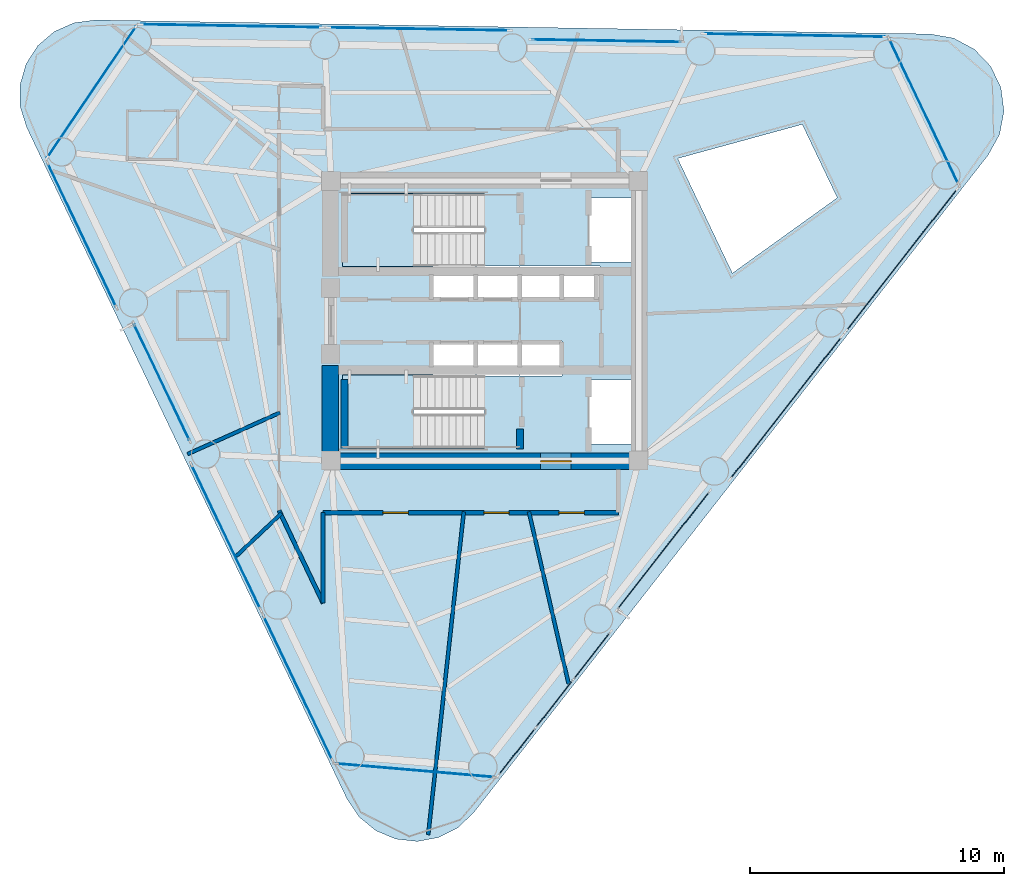
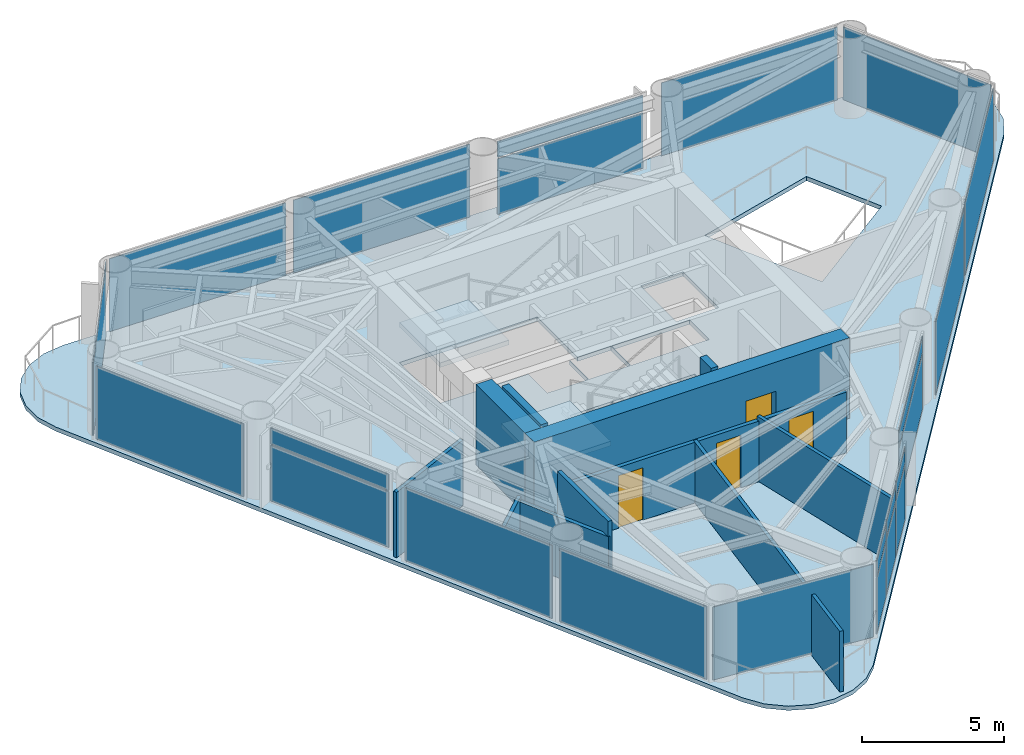
# One storey, part 4 of 9: 23 plates, 11 walls, 4 doors, 3 slabs, 4 openings, 17 elements without a shape of their own.
"""IFC4 building model written with IfcOpenShell, lengths in metres."""

from ifc_helpers import new_model, si_unit, direction, frame, frame_2d, origin, origin_2d, place, context, subcontext, project, spatial, polyline, rectangle, outline, extrude, source, transform, mapped, material, layer, layer_set, type_object, element, fill, aggregate, save


model = new_model("IFC4")

# Units and contexts
model_context = context("Model", 3, precision=1e-05, world=origin(), true_north=direction((0.0, 1.0)))
body_context = subcontext(model_context, "Body", "Model", "MODEL_VIEW")
ifc_project = project(units=[si_unit("LENGTHUNIT", "METRE"), si_unit("AREAUNIT", "SQUARE_METRE"), si_unit("VOLUMEUNIT", "CUBIC_METRE"), si_unit("PLANEANGLEUNIT", "RADIAN"), si_unit("MASSUNIT", "GRAM", prefix="KILO")], contexts=[model_context])

# Site, building, storey
site_placement = place(None, origin())
site = spatial("IfcSite", under=ifc_project, at=site_placement, CompositionType="ELEMENT")
building_placement = place(site_placement, origin())
building = spatial("IfcBuilding", under=site, at=building_placement, Name="Yunling Apex Tower", CompositionType="ELEMENT")
storey_placement = place(building_placement, frame((0.0, 0.0, 205.25)))
storey = spatial("IfcBuildingStorey", under=building, at=storey_placement, Name="L50", CompositionType="ELEMENT", Elevation=205.25)

# Slab
ifc_material_1 = material(Name="Concrete C40", Category="concrete")
ifc_layer_1 = layer(ifc_material_1, 0.1650390625)
ifc_layer_set_1 = layer_set([ifc_layer_1], Name="Concrete C40")
slab_type_1 = type_object("IfcSlabType", Name="SL-FLR-2", PredefinedType="FLOOR", material=ifc_layer_set_1)
slab_1_placement = place(storey_placement, frame((0.0, 0.0, -0.179931640625)))
element("IfcSlab", 1, at=slab_1_placement, inside=storey, type_object=slab_type_1, Name="L50 Composite Tower Floor Slab", PredefinedType="FLOOR", context=body_context, shape_type="SweptSolid", body=[
    extrude(outline(polyline([(-5.42578125, -18.80419921875), (-4.95068359375, -19.513427734375), (-4.29248046875, -20.056884765625), (-3.506103515625, -20.38916015625), (-2.65771484375, -20.482421875), (-1.818115234375, -20.32861328125), (-1.0576171875, -19.941162109375), (-0.439697265625, -19.35205078125), (19.8017578125, 6.518798828125), (20.25244140625, 7.333251953125), (20.427001953125, 8.24755859375), (20.307861328125, 9.1708984375), (19.9072265625, 10.010986328125), (19.2646484375, 10.684326171875), (18.4443359375, 11.1240234375), (17.527587890625, 11.286376953125), (-15.316162109375, 11.8369140625), (-16.16259765625, 11.7275390625), (-16.9423828125, 11.38037109375), (-17.59033203125, 10.824462890625), (-18.0517578125, 10.1064453125), (-18.288330078125, 9.286376953125), (-18.2802734375, 8.4326171875), (-18.0283203125, 7.6171875), (-5.42578125, -18.80419921875)]), holes=[polyline([(12.489013671875, 7.7294921875), (13.86669921875, 4.84130859375), (9.7412109375, 1.87646484375), (7.58837890625, 6.389404296875), (12.489013671875, 7.7294921875)]), polyline([(4.090087890625, -2.320068359375), (5.81005859375, -2.320068359375), (5.81005859375, -4.840087890625), (4.090087890625, -4.840087890625), (4.090087890625, -2.320068359375)]), polyline([(5.81005859375, 4.840087890625), (5.81005859375, 2.320068359375), (4.090087890625, 2.320068359375), (4.090087890625, 4.840087890625), (5.81005859375, 4.840087890625)]), polyline([(1.364990234375, 2.1650390625), (4.534912109375, 2.1650390625), (4.534912109375, 0.794921875), (1.364990234375, 0.794921875), (1.364990234375, 2.1650390625)]), polyline([(3.034912109375, -0.794921875), (3.034912109375, -2.1650390625), (1.364990234375, -2.1650390625), (1.364990234375, -0.794921875), (3.034912109375, -0.794921875)]), polyline([(-2.034912109375, -0.794921875), (-0.364990234375, -0.794921875), (-0.364990234375, -2.139892578125), (-0.3349609375, -2.139892578125), (-0.3349609375, -0.794921875), (1.3349609375, -0.794921875), (1.3349609375, -2.1650390625), (-0.010009765625, -2.1650390625), (-0.010009765625, -5.010009765625), (-5.60009765625, -5.010009765625), (-5.60009765625, -2.139892578125), (-2.034912109375, -2.139892578125), (-2.034912109375, -0.794921875)]), polyline([(-5.60009765625, 2.139892578125), (-5.60009765625, 5.010009765625), (-0.010009765625, 5.010009765625), (-0.010009765625, 2.1650390625), (1.3349609375, 2.1650390625), (1.3349609375, 0.794921875), (-0.3349609375, 0.794921875), (-0.3349609375, 2.139892578125), (-0.364990234375, 2.139892578125), (-0.364990234375, 0.794921875), (-2.034912109375, 0.794921875), (-2.034912109375, 2.139892578125), (-5.60009765625, 2.139892578125)])]), origin(), (0.0, 0.0, 1.0), 0.179931640625),
])

# Stair, slab
stair_type = type_object("IfcStairType", Name="ST-TWR-2", PredefinedType="HALF_TURN_STAIR", material=ifc_material_1)
stair_1_placement = place(storey_placement, origin())
stair_1 = element("IfcStair", 2, at=stair_1_placement, inside=storey, type_object=stair_type, Name="L50 North Core Smokeproof Exit Stair ST-1", PredefinedType="HALF_TURN_STAIR")
ifc_layer_2 = layer(ifc_material_1, 0.195068359375)
ifc_layer_set_2 = layer_set([ifc_layer_2], Name="Concrete C40")
slab_type_2 = type_object("IfcSlabType", Name="SL-LND-1", PredefinedType="LANDING", material=ifc_layer_set_2)
slab_2_placement = place(storey_placement, frame((0.0, 0.0, 1.530029296875)))
slab_2 = element("IfcSlab", 3, at=slab_2_placement, type_object=slab_type_2, Name="ST-1 landing 1", PredefinedType="LANDING", context=body_context, shape_type="SweptSolid", body=[
    extrude(outline(polyline([(-2.81005859375, 5.010009765625), (-5.60009765625, 5.010009765625), (-5.60009765625, 2.139892578125), (-2.81005859375, 2.139892578125), (-2.81005859375, 5.010009765625)])), origin(), (0.0, 0.0, 1.0), 0.195068359375),
])
aggregate(stair_1, [slab_2])

stair_2_placement = place(storey_placement, origin())
stair_2 = element("IfcStair", 4, at=stair_2_placement, inside=storey, type_object=stair_type, Name="L50 South Core Smokeproof Exit Stair ST-2", PredefinedType="HALF_TURN_STAIR")
slab_3_placement = place(storey_placement, frame((0.0, 0.0, 1.530029296875)))
slab_3 = element("IfcSlab", 5, at=slab_3_placement, type_object=slab_type_2, Name="ST-2 landing 1", PredefinedType="LANDING", context=body_context, shape_type="SweptSolid", body=[
    extrude(outline(polyline([(-2.81005859375, -2.139892578125), (-5.60009765625, -2.139892578125), (-5.60009765625, -5.010009765625), (-2.81005859375, -5.010009765625), (-2.81005859375, -2.139892578125)])), origin(), (0.0, 0.0, 1.0), 0.195068359375),
])
aggregate(stair_2, [slab_3])

# Curtain wall, plates
ifc_material_2 = material(Name="Bronze anodised aluminium", Category="aluminium")
ifc_layer_3 = layer(ifc_material_2, 0.239990234375)
ifc_layer_set_3 = layer_set([ifc_layer_3], Name="Bronze anodised aluminium")
curtain_wall_type = type_object("IfcCurtainWallType", Name="CW-SYS-3", PredefinedType="NOTDEFINED", material=ifc_layer_set_3)
curtain_wall_1_placement = place(storey_placement, origin())
curtain_wall_1 = element("IfcCurtainWall", 6, at=curtain_wall_1_placement, inside=storey, type_object=curtain_wall_type, Name="CW-L50-F1-B1", PredefinedType="NOTDEFINED")
ifc_material_3 = material(Name="Bronze tinted low-E glass", Category="glass")
ifc_layer_4 = layer(ifc_material_3, 0.031982421875)
ifc_layer_set_4 = layer_set([ifc_layer_4], Name="Bronze tinted low-E glass")
plate_type = type_object("IfcPlateType", Name="CW-PNL-3", PredefinedType="CURTAIN_PANEL", material=ifc_layer_set_4)
shared_shape_1 = source(origin(), body_context, "Body", "SweptSolid", [
    extrude(rectangle(XDim=2.306396484375, YDim=0.031982421875, at=origin_2d()), origin(), (0.0, 0.0, 1.0), 2.381103515625),
])
plate_1_placement = place(storey_placement, frame((1.266357421875, -16.9443359375, 0.072265625), z_axis=(0.0, 0.0, 1.0), x_axis=(0.616200489644, 0.787589332433, 0.0)))
plate_1 = element("IfcPlate", 7, at=plate_1_placement, type_object=plate_type, Name="CW-SYS-3 panel 1.1", PredefinedType="CURTAIN_PANEL", context=body_context, shape_type="MappedRepresentation", body=[
    mapped(shared_shape_1, transform((0.0, 0.0, 0.0), scale=1.0)),
])
plate_2_placement = place(storey_placement, frame((4.212158203125, -13.17919921875, 0.072265625), z_axis=(0.0, 0.0, 1.0), x_axis=(0.616200489644, 0.787589332433, 0.0)))
plate_2 = element("IfcPlate", 8, at=plate_2_placement, type_object=plate_type, Name="CW-SYS-3 panel 3.1", PredefinedType="CURTAIN_PANEL", context=body_context, shape_type="MappedRepresentation", body=[
    mapped(shared_shape_1, transform((0.0, 0.0, 0.0), scale=1.0)),
])
shared_shape_2 = source(origin(), body_context, "Body", "SweptSolid", [
    extrude(rectangle(XDim=2.306396484375, YDim=0.031982421875, at=origin_2d()), origin(), (0.0, 0.0, 1.0), 0.680908203125),
])
plate_3_placement = place(storey_placement, frame((1.266357421875, -16.9443359375, 2.51708984375), z_axis=(0.0, 0.0, 1.0), x_axis=(0.616200489644, 0.787589332433, 0.0)))
plate_3 = element("IfcPlate", 9, at=plate_3_placement, type_object=plate_type, Name="CW-SYS-3 panel 1.2", PredefinedType="CURTAIN_PANEL", context=body_context, shape_type="MappedRepresentation", body=[
    mapped(shared_shape_2, transform((0.0, 0.0, 0.0), scale=1.0)),
])
plate_4_placement = place(storey_placement, frame((4.212158203125, -13.17919921875, 2.51708984375), z_axis=(0.0, 0.0, 1.0), x_axis=(0.616200489644, 0.787589332433, 0.0)))
plate_4 = element("IfcPlate", 10, at=plate_4_placement, type_object=plate_type, Name="CW-SYS-3 panel 3.2", PredefinedType="CURTAIN_PANEL", context=body_context, shape_type="MappedRepresentation", body=[
    mapped(shared_shape_2, transform((0.0, 0.0, 0.0), scale=1.0)),
])
shared_shape_3 = source(origin(), body_context, "Body", "SweptSolid", [
    extrude(rectangle(XDim=2.34619140625, YDim=0.031982421875, at=origin_2d()), origin(), (0.0, 0.0, 1.0), 2.381103515625),
])
plate_5_placement = place(storey_placement, frame((2.7392578125, -15.061767578125, 0.072265625), z_axis=(0.0, 0.0, 1.0), x_axis=(0.616200489644, 0.787589332433, 0.0)))
plate_5 = element("IfcPlate", 11, at=plate_5_placement, type_object=plate_type, Name="CW-SYS-3 panel 2.1", PredefinedType="CURTAIN_PANEL", context=body_context, shape_type="MappedRepresentation", body=[
    mapped(shared_shape_3, transform((0.0, 0.0, 0.0), scale=1.0)),
])
shared_shape_4 = source(origin(), body_context, "Body", "SweptSolid", [
    extrude(rectangle(XDim=2.34619140625, YDim=0.031982421875, at=origin_2d()), origin(), (0.0, 0.0, 1.0), 0.680908203125),
])
plate_6_placement = place(storey_placement, frame((2.7392578125, -15.061767578125, 2.51708984375), z_axis=(0.0, 0.0, 1.0), x_axis=(0.616200489644, 0.787589332433, 0.0)))
plate_6 = element("IfcPlate", 12, at=plate_6_placement, type_object=plate_type, Name="CW-SYS-3 panel 2.2", PredefinedType="CURTAIN_PANEL", context=body_context, shape_type="MappedRepresentation", body=[
    mapped(shared_shape_4, transform((0.0, 0.0, 0.0), scale=1.0)),
])
aggregate(curtain_wall_1, [plate_1, plate_3, plate_5, plate_6, plate_2, plate_4])

# Curtain wall, plate
curtain_wall_2_placement = place(storey_placement, origin())
curtain_wall_2 = element("IfcCurtainWall", 13, at=curtain_wall_2_placement, inside=storey, type_object=curtain_wall_type, Name="CW-L50-F1-B2", PredefinedType="NOTDEFINED")
shared_shape_5 = source(origin(), body_context, "Body", "SweptSolid", [
    extrude(rectangle(XDim=5.846923828125, YDim=0.031982421875, at=origin_2d()), origin(), (0.0, 0.0, 1.0), 2.381103515625),
])
plate_7_placement = place(storey_placement, frame((7.025634765625, -9.03125, 0.072265625), z_axis=(0.0, 0.0, 1.0), x_axis=(0.616216892053, 0.787576499109, 0.0)))
plate_7 = element("IfcPlate", 14, at=plate_7_placement, type_object=plate_type, Name="CW-SYS-3 panel 1.1", PredefinedType="CURTAIN_PANEL", context=body_context, shape_type="MappedRepresentation", body=[
    mapped(shared_shape_5, transform((0.0, 0.0, 0.0), scale=1.0)),
])

curtain_wall_3_placement = place(storey_placement, origin())
curtain_wall_3 = element("IfcCurtainWall", 15, at=curtain_wall_3_placement, inside=storey, type_object=curtain_wall_type, Name="CW-L50-F2-B2", PredefinedType="NOTDEFINED")
plate_8_placement = place(storey_placement, frame((4.792724609375, 11.019775390625, 0.072265625), z_axis=(0.0, 0.0, 1.0), x_axis=(-0.999859564213, 0.016758635119, 0.0)))
plate_8 = element("IfcPlate", 16, at=plate_8_placement, type_object=plate_type, Name="CW-SYS-3 panel 1.1", PredefinedType="CURTAIN_PANEL", context=body_context, shape_type="MappedRepresentation", body=[
    mapped(shared_shape_5, transform((0.0, 0.0, 0.0), scale=1.0)),
])

# Plate
shared_shape_6 = source(origin(), body_context, "Body", "SweptSolid", [
    extrude(rectangle(XDim=5.846923828125, YDim=0.031982421875, at=origin_2d()), origin(), (0.0, 0.0, 1.0), 0.680908203125),
])
plate_9_placement = place(storey_placement, frame((7.025634765625, -9.03125, 2.51708984375), z_axis=(0.0, 0.0, 1.0), x_axis=(0.616216892053, 0.787576499109, 0.0)))
plate_9 = element("IfcPlate", 17, at=plate_9_placement, type_object=plate_type, Name="CW-SYS-3 panel 1.2", PredefinedType="CURTAIN_PANEL", context=body_context, shape_type="MappedRepresentation", body=[
    mapped(shared_shape_6, transform((0.0, 0.0, 0.0), scale=1.0)),
])

aggregate(curtain_wall_2, [plate_7, plate_9])

plate_10_placement = place(storey_placement, frame((4.792724609375, 11.019775390625, 2.51708984375), z_axis=(0.0, 0.0, 1.0), x_axis=(-0.999859564213, 0.016758635119, 0.0)))
plate_10 = element("IfcPlate", 18, at=plate_10_placement, type_object=plate_type, Name="CW-SYS-3 panel 1.2", PredefinedType="CURTAIN_PANEL", context=body_context, shape_type="MappedRepresentation", body=[
    mapped(shared_shape_6, transform((0.0, 0.0, 0.0), scale=1.0)),
])

aggregate(curtain_wall_3, [plate_8, plate_10])

# Curtain wall, plate
curtain_wall_4_placement = place(storey_placement, origin())
curtain_wall_4 = element("IfcCurtainWall", 19, at=curtain_wall_4_placement, inside=storey, type_object=curtain_wall_type, Name="CW-L50-F1-B3", PredefinedType="NOTDEFINED")
shared_shape_7 = source(origin(), body_context, "Body", "SweptSolid", [
    extrude(rectangle(XDim=7.0869140625, YDim=0.031982421875, at=origin_2d()), origin(), (0.0, 0.0, 1.0), 3.1259765625),
])
plate_11_placement = place(storey_placement, frame((11.847900390625, -3.419921875, 0.072021484375), z_axis=(0.0, 0.0, 1.0), x_axis=(0.616200489644, 0.787589332433, 0.0)))
plate_11 = element("IfcPlate", 20, at=plate_11_placement, type_object=plate_type, Name="CW-SYS-3 panel 1.1", PredefinedType="CURTAIN_PANEL", context=body_context, shape_type="MappedRepresentation", body=[
    mapped(shared_shape_7, transform((0.0, 0.0, 0.0), scale=1.0)),
])
aggregate(curtain_wall_4, [plate_11])

curtain_wall_5_placement = place(storey_placement, origin())
curtain_wall_5 = element("IfcCurtainWall", 21, at=curtain_wall_5_placement, inside=storey, type_object=curtain_wall_type, Name="CW-L50-F1-B4", PredefinedType="NOTDEFINED")
plate_12_placement = place(storey_placement, frame((16.402099609375, 2.401123046875, 0.072021484375), z_axis=(0.0, 0.0, 1.0), x_axis=(0.616200489644, 0.787589332433, 0.0)))
plate_12 = element("IfcPlate", 22, at=plate_12_placement, type_object=plate_type, Name="CW-SYS-3 panel 1.1", PredefinedType="CURTAIN_PANEL", context=body_context, shape_type="MappedRepresentation", body=[
    mapped(shared_shape_7, transform((0.0, 0.0, 0.0), scale=1.0)),
])
aggregate(curtain_wall_5, [plate_12])

curtain_wall_6_placement = place(storey_placement, origin())
curtain_wall_6 = element("IfcCurtainWall", 23, at=curtain_wall_6_placement, inside=storey, type_object=curtain_wall_type, Name="CW-L50-F2-B1", PredefinedType="NOTDEFINED")
plate_13_placement = place(storey_placement, frame((12.188232421875, 11.23583984375, 0.072021484375), z_axis=(0.0, 0.0, 1.0), x_axis=(-0.999859518498, 0.016761362354, 0.0)))
plate_13 = element("IfcPlate", 24, at=plate_13_placement, type_object=plate_type, Name="CW-SYS-3 panel 1.1", PredefinedType="CURTAIN_PANEL", context=body_context, shape_type="MappedRepresentation", body=[
    mapped(shared_shape_7, transform((0.0, 0.0, 0.0), scale=1.0)),
])
aggregate(curtain_wall_6, [plate_13])

curtain_wall_7_placement = place(storey_placement, origin())
curtain_wall_7 = element("IfcCurtainWall", 25, at=curtain_wall_7_placement, inside=storey, type_object=curtain_wall_type, Name="CW-L50-F2-B3", PredefinedType="NOTDEFINED")
plate_14_placement = place(storey_placement, frame((-2.591552734375, 11.483642578125, 0.072021484375), z_axis=(0.0, 0.0, 1.0), x_axis=(-0.999859754051, 0.016747305141, 0.0)))
plate_14 = element("IfcPlate", 26, at=plate_14_placement, type_object=plate_type, Name="CW-SYS-3 panel 1.1", PredefinedType="CURTAIN_PANEL", context=body_context, shape_type="MappedRepresentation", body=[
    mapped(shared_shape_7, transform((0.0, 0.0, 0.0), scale=1.0)),
])
aggregate(curtain_wall_7, [plate_14])

curtain_wall_8_placement = place(storey_placement, origin())
curtain_wall_8 = element("IfcCurtainWall", 27, at=curtain_wall_8_placement, inside=storey, type_object=curtain_wall_type, Name="CW-L50-F2-B4", PredefinedType="NOTDEFINED")
plate_15_placement = place(storey_placement, frame((-9.9814453125, 11.607421875, 0.072021484375), z_axis=(0.0, 0.0, 1.0), x_axis=(-0.999859518498, 0.016761362354, 0.0)))
plate_15 = element("IfcPlate", 28, at=plate_15_placement, type_object=plate_type, Name="CW-SYS-3 panel 1.1", PredefinedType="CURTAIN_PANEL", context=body_context, shape_type="MappedRepresentation", body=[
    mapped(shared_shape_7, transform((0.0, 0.0, 0.0), scale=1.0)),
])
aggregate(curtain_wall_8, [plate_15])

curtain_wall_9_placement = place(storey_placement, origin())
curtain_wall_9 = element("IfcCurtainWall", 29, at=curtain_wall_9_placement, inside=storey, type_object=curtain_wall_type, Name="CW-L50-CRN1", PredefinedType="NOTDEFINED")
shared_shape_8 = source(origin(), body_context, "Body", "SweptSolid", [
    extrude(rectangle(XDim=6.31494140625, YDim=0.031982421875, at=origin_2d()), origin(), (0.0, 0.0, 1.0), 3.1259765625),
])
plate_16_placement = place(storey_placement, frame((17.273193359375, 8.239013671875, 0.072021484375), z_axis=(0.0, 0.0, 1.0), x_axis=(-0.430527245951, 0.902577581426, 0.0)))
plate_16 = element("IfcPlate", 30, at=plate_16_placement, type_object=plate_type, Name="CW-SYS-3 panel 1.1", PredefinedType="CURTAIN_PANEL", context=body_context, shape_type="MappedRepresentation", body=[
    mapped(shared_shape_8, transform((0.0, 0.0, 0.0), scale=1.0)),
])
aggregate(curtain_wall_9, [plate_16])

curtain_wall_10_placement = place(storey_placement, origin())
curtain_wall_10 = element("IfcCurtainWall", 31, at=curtain_wall_10_placement, inside=storey, type_object=curtain_wall_type, Name="CW-L50-CRN2", PredefinedType="NOTDEFINED")
shared_shape_9 = source(origin(), body_context, "Body", "SweptSolid", [
    extrude(rectangle(XDim=6.237060546875, YDim=0.031982421875, at=origin_2d()), origin(), (0.0, 0.0, 1.0), 3.1259765625),
])
plate_17_placement = place(storey_placement, frame((-15.465087890625, 9.007080078125, 0.072021484375), z_axis=(0.0, 0.0, 1.0), x_axis=(-0.56057021458, -0.828106898006, 0.0)))
plate_17 = element("IfcPlate", 32, at=plate_17_placement, type_object=plate_type, Name="CW-SYS-3 panel 1.1", PredefinedType="CURTAIN_PANEL", context=body_context, shape_type="MappedRepresentation", body=[
    mapped(shared_shape_9, transform((0.0, 0.0, 0.0), scale=1.0)),
])
aggregate(curtain_wall_10, [plate_17])

curtain_wall_11_placement = place(storey_placement, origin())
curtain_wall_11 = element("IfcCurtainWall", 33, at=curtain_wall_11_placement, inside=storey, type_object=curtain_wall_type, Name="CW-L50-CRN3", PredefinedType="NOTDEFINED")
plate_18_placement = place(storey_placement, frame((-2.732666015625, -17.68701171875, 0.072021484375), z_axis=(0.0, 0.0, 1.0), x_axis=(0.996336698637, -0.085517150026, 0.0)))
plate_18 = element("IfcPlate", 34, at=plate_18_placement, type_object=plate_type, Name="CW-SYS-3 panel 1.1", PredefinedType="CURTAIN_PANEL", context=body_context, shape_type="MappedRepresentation", body=[
    mapped(shared_shape_9, transform((0.0, 0.0, 0.0), scale=1.0)),
])
aggregate(curtain_wall_11, [plate_18])

curtain_wall_12_placement = place(storey_placement, origin())
curtain_wall_12 = element("IfcCurtainWall", 35, at=curtain_wall_12_placement, inside=storey, type_object=curtain_wall_type, Name="CW-L50-F3-B1", PredefinedType="NOTDEFINED")
shared_shape_10 = source(origin(), body_context, "Body", "SweptSolid", [
    extrude(rectangle(XDim=6.282470703125, YDim=0.031982421875, at=origin_2d()), origin(), (0.0, 0.0, 1.0), 3.1259765625),
])
plate_19_placement = place(storey_placement, frame((-15.85400390625, 3.384033203125, 0.072021484375), z_axis=(0.0, 0.0, 1.0), x_axis=(0.430517577128, -0.902582193367, 0.0)))
plate_19 = element("IfcPlate", 36, at=plate_19_placement, type_object=plate_type, Name="CW-SYS-3 panel 1.1", PredefinedType="CURTAIN_PANEL", context=body_context, shape_type="MappedRepresentation", body=[
    mapped(shared_shape_10, transform((0.0, 0.0, 0.0), scale=1.0)),
])
aggregate(curtain_wall_12, [plate_19])

curtain_wall_13_placement = place(storey_placement, origin())
curtain_wall_13 = element("IfcCurtainWall", 37, at=curtain_wall_13_placement, inside=storey, type_object=curtain_wall_type, Name="CW-L50-F3-B3", PredefinedType="NOTDEFINED")
plate_20_placement = place(storey_placement, frame((-10.182861328125, -8.505615234375, 0.072021484375), z_axis=(0.0, 0.0, 1.0), x_axis=(0.430504900417, -0.902588239851, 0.0)))
plate_20 = element("IfcPlate", 38, at=plate_20_placement, type_object=plate_type, Name="CW-SYS-3 panel 1.1", PredefinedType="CURTAIN_PANEL", context=body_context, shape_type="MappedRepresentation", body=[
    mapped(shared_shape_10, transform((0.0, 0.0, 0.0), scale=1.0)),
])
aggregate(curtain_wall_13, [plate_20])

curtain_wall_14_placement = place(storey_placement, origin())
curtain_wall_14 = element("IfcCurtainWall", 39, at=curtain_wall_14_placement, inside=storey, type_object=curtain_wall_type, Name="CW-L50-F3-B4", PredefinedType="NOTDEFINED")
plate_21_placement = place(storey_placement, frame((-7.347412109375, -14.450439453125, 0.072021484375), z_axis=(0.0, 0.0, 1.0), x_axis=(0.430517577128, -0.902582193367, 0.0)))
plate_21 = element("IfcPlate", 40, at=plate_21_placement, type_object=plate_type, Name="CW-SYS-3 panel 1.1", PredefinedType="CURTAIN_PANEL", context=body_context, shape_type="MappedRepresentation", body=[
    mapped(shared_shape_10, transform((0.0, 0.0, 0.0), scale=1.0)),
])
aggregate(curtain_wall_14, [plate_21])

# Curtain wall, plates
curtain_wall_15_placement = place(storey_placement, origin())
curtain_wall_15 = element("IfcCurtainWall", 41, at=curtain_wall_15_placement, inside=storey, type_object=curtain_wall_type, Name="CW-L50-F3-B2", PredefinedType="NOTDEFINED")
shared_shape_11 = source(origin(), body_context, "Body", "SweptSolid", [
    extrude(rectangle(XDim=5.042236328125, YDim=0.031982421875, at=origin_2d()), origin(), (0.0, 0.0, 1.0), 2.381103515625),
])
plate_22_placement = place(storey_placement, frame((-12.71142578125, -2.41455078125, 0.072265625), z_axis=(0.0, 0.0, 1.0), x_axis=(0.430515783062, -0.902583049107, 0.0)))
plate_22 = element("IfcPlate", 42, at=plate_22_placement, type_object=plate_type, Name="CW-SYS-3 panel 1.1", PredefinedType="CURTAIN_PANEL", context=body_context, shape_type="MappedRepresentation", body=[
    mapped(shared_shape_11, transform((0.0, 0.0, 0.0), scale=1.0)),
])
shared_shape_12 = source(origin(), body_context, "Body", "SweptSolid", [
    extrude(rectangle(XDim=5.042236328125, YDim=0.031982421875, at=origin_2d()), origin(), (0.0, 0.0, 1.0), 0.680908203125),
])
plate_23_placement = place(storey_placement, frame((-12.71142578125, -2.41455078125, 2.51708984375), z_axis=(0.0, 0.0, 1.0), x_axis=(0.430515783062, -0.902583049107, 0.0)))
plate_23 = element("IfcPlate", 43, at=plate_23_placement, type_object=plate_type, Name="CW-SYS-3 panel 1.2", PredefinedType="CURTAIN_PANEL", context=body_context, shape_type="MappedRepresentation", body=[
    mapped(shared_shape_12, transform((0.0, 0.0, 0.0), scale=1.0)),
])
aggregate(curtain_wall_15, [plate_22, plate_23])

# Wall, opening, door
ifc_material_4 = material(Name="Concrete C50", Category="concrete")
ifc_layer_5 = layer(ifc_material_4, 0.64990234375)
ifc_layer_set_5 = layer_set([ifc_layer_5], Name="Concrete C50")
wall_type_1 = type_object("IfcWallType", Name="WL-COR-2", PredefinedType="SHEAR", material=ifc_layer_set_5)
wall_1_placement = place(storey_placement, frame((-6.39990234375, -5.52490234375, 0.0), z_axis=(0.0, 0.0, 1.0), x_axis=(1.0, 0.0, 0.0)))
wall_1 = element("IfcWall", 44, at=wall_1_placement, inside=storey, type_object=wall_type_1, Name="L50 South Core Shear Wall", PredefinedType="SHEAR", context=body_context, shape_type="SweptSolid", body=[
    extrude(rectangle(XDim=12.7998046875, YDim=0.64990234375, at=frame_2d((6.39990234375, 0.0))), origin(), (0.0, 0.0, 1.0), 3.449951171875),
])
opening_1_placement = place(wall_1_placement, frame((8.60009765625, 0.0, 0.0)))
opening_1 = element("IfcOpeningElement", 45, at=opening_1_placement, cuts=wall_1, Name="Opening DR-FFL-1", PredefinedType="OPENING", context=body_context, shape_type="SweptSolid", body=[
    extrude(rectangle(XDim=1.199951171875, YDim=2.199951171875, at=frame_2d((0.60009765625, 1.10009765625))), frame((0.0, 0.3349609375, 0.0), z_axis=(0.0, -1.0, 0.0), x_axis=(1.0, 0.0, 0.0)), (0.0, 0.0, 1.0), 0.669921875),
])
ifc_material_5 = material(Name="Steel Q355B", Category="steel")
door_type_1 = type_object("IfcDoorType", Name="DR-FFL-1", OperationType="NOTDEFINED", PredefinedType="DOOR", material=ifc_material_5)
door_1_placement = place(opening_1_placement, origin())
door_1 = element("IfcDoor", 46, at=door_1_placement, inside=storey, type_object=door_type_1, Name="L50 South Firefighting Lobby Door", OperationType="SINGLE_SWING_RIGHT", OverallHeight=2.199951171875, OverallWidth=1.199951171875, PredefinedType="DOOR", context=body_context, shape_type="SweptSolid", body=[
    extrude(rectangle(XDim=1.199951171875, YDim=2.199951171875, at=frame_2d((0.60009765625, 1.10009765625))), frame((0.0, 0.02490234375, 0.0), z_axis=(0.0, -1.0, 0.0), x_axis=(1.0, 0.0, 0.0)), (0.0, 0.0, 1.0), 0.050048828125),
])
fill(opening_1, door_1)

# Walls
wall_2_placement = place(storey_placement, frame((-6.074951171875, -5.199951171875, 0.0), z_axis=(0.0, 0.0, 1.0), x_axis=(0.0, 1.0, 0.0)))
element("IfcWall", 47, at=wall_2_placement, inside=storey, type_object=wall_type_1, Name="L50 West-South Core Shear Wall", PredefinedType="SHEAR", context=body_context, shape_type="SweptSolid", body=[
    extrude(rectangle(XDim=3.449951171875, YDim=0.64990234375, at=frame_2d((1.72509765625, 0.0))), origin(), (0.0, 0.0, 1.0), 3.449951171875),
])
ifc_layer_6 = layer(ifc_material_1, 0.280029296875)
ifc_layer_set_6 = layer_set([ifc_layer_6], Name="Concrete C40")
wall_type_2 = type_object("IfcWallType", Name="WL-COR-8", PredefinedType="SHEAR", material=ifc_layer_set_6)
wall_3_placement = place(storey_placement, frame((-5.52001953125, -5.050048828125, 0.0), z_axis=(0.0, 0.0, 1.0), x_axis=(0.0, 1.0, 0.0)))
element("IfcWall", 48, at=wall_3_placement, inside=storey, type_object=wall_type_2, Name="L50 ST-2 West Landing Bearing Wall", PredefinedType="SHEAR", context=body_context, shape_type="SweptSolid", body=[
    extrude(rectangle(XDim=2.75, YDim=0.280029296875, at=frame_2d((1.375, 0.0))), origin(), (0.0, 0.0, 1.0), 3.449951171875),
])
wall_4_placement = place(storey_placement, frame((1.3798828125, -5.050048828125, 0.0), z_axis=(0.0, 0.0, 1.0), x_axis=(0.0, 1.0, 0.0)))
element("IfcWall", 49, at=wall_4_placement, inside=storey, type_object=wall_type_2, Name="L50 ST-2 East Landing Bearing Pier", PredefinedType="SHEAR", context=body_context, shape_type="SweptSolid", body=[
    extrude(rectangle(XDim=0.800048828125, YDim=0.280029296875, at=frame_2d((0.39990234375, 0.0))), origin(), (0.0, 0.0, 1.0), 3.449951171875),
])
ifc_material_6 = material(Name="Gypsum board acoustic partition")
ifc_layer_7 = layer(ifc_material_6, 0.159912109375)
ifc_layer_set_7 = layer_set([ifc_layer_7], Name="Gypsum board acoustic partition")
wall_type_3 = type_object("IfcWallType", Name="WL-PRT-1", PredefinedType="PARTITIONING", material=ifc_layer_set_7)
wall_5_placement = place(storey_placement, frame((-6.360107421875, -11.1083984375, 0.0), z_axis=(0.0, 0.0, 1.0), x_axis=(-0.430489180359, 0.902595737633, 0.0)))
element("IfcWall", 50, at=wall_5_placement, inside=storey, type_object=wall_type_3, Name="WL-CORR-L50-01", PredefinedType="PARTITIONING", context=body_context, shape_type="SweptSolid", body=[
    extrude(rectangle(XDim=4.0419921875, YDim=0.159912109375, at=frame_2d((2.02099609375, 0.0))), origin(), (0.0, 0.0, 1.0), 2.60498046875),
])

# Wall, openings, doors
wall_6_placement = place(storey_placement, frame((5.25, -7.550048828125, 0.0), z_axis=(0.0, 0.0, 1.0), x_axis=(-1.0, 0.0, 0.0)))
wall_6 = element("IfcWall", 51, at=wall_6_placement, inside=storey, type_object=wall_type_3, Name="WL-CORR-L50-09", PredefinedType="PARTITIONING", context=body_context, shape_type="SweptSolid", body=[
    extrude(rectangle(XDim=11.610107421875, YDim=0.159912109375, at=frame_2d((5.80517578125, 0.0))), origin(), (0.0, 0.0, 1.0), 2.60498046875),
])
opening_2_placement = place(wall_6_placement, frame((1.337158203125, 0.0, 0.0)))
opening_2 = element("IfcOpeningElement", 52, at=opening_2_placement, cuts=wall_6, Name="Opening DR-OFF-1", PredefinedType="OPENING", context=body_context, shape_type="SweptSolid", body=[
    extrude(rectangle(XDim=1.0, YDim=2.25, at=frame_2d((0.5, 1.125))), frame((0.0, 0.08984375, 0.0), z_axis=(0.0, -1.0, 0.0), x_axis=(1.0, 0.0, 0.0)), (0.0, 0.0, 1.0), 0.179931640625),
])
opening_3_placement = place(wall_6_placement, frame((4.290283203125, 0.0, 0.0)))
opening_3 = element("IfcOpeningElement", 53, at=opening_3_placement, cuts=wall_6, Name="Opening DR-OFF-1", PredefinedType="OPENING", context=body_context, shape_type="SweptSolid", body=[
    extrude(rectangle(XDim=1.0, YDim=2.25, at=frame_2d((0.5, 1.125))), frame((0.0, 0.08984375, 0.0), z_axis=(0.0, -1.0, 0.0), x_axis=(1.0, 0.0, 0.0)), (0.0, 0.0, 1.0), 0.179931640625),
])
opening_4_placement = place(wall_6_placement, frame((8.25634765625, 0.0, 0.0)))
opening_4 = element("IfcOpeningElement", 54, at=opening_4_placement, cuts=wall_6, Name="Opening DR-OFF-1", PredefinedType="OPENING", context=body_context, shape_type="SweptSolid", body=[
    extrude(rectangle(XDim=1.0, YDim=2.25, at=frame_2d((0.5, 1.125))), frame((0.0, 0.08984375, 0.0), z_axis=(0.0, -1.0, 0.0), x_axis=(1.0, 0.0, 0.0)), (0.0, 0.0, 1.0), 0.179931640625),
])
door_type_2 = type_object("IfcDoorType", Name="DR-OFF-1", OperationType="NOTDEFINED", PredefinedType="DOOR", material=ifc_material_2)
door_2_placement = place(opening_2_placement, origin())
door_2 = element("IfcDoor", 55, at=door_2_placement, inside=storey, type_object=door_type_2, Name="L50 Concierge Reception Foyer Door", OperationType="SINGLE_SWING_RIGHT", OverallHeight=2.25, OverallWidth=1.0, PredefinedType="DOOR", context=body_context, shape_type="SweptSolid", body=[
    extrude(rectangle(XDim=1.0, YDim=2.25, at=frame_2d((0.5, 1.125))), frame((0.0, 0.02490234375, 0.0), z_axis=(0.0, -1.0, 0.0), x_axis=(1.0, 0.0, 0.0)), (0.0, 0.0, 1.0), 0.050048828125),
])
fill(opening_2, door_2)
door_3_placement = place(opening_3_placement, origin())
door_3 = element("IfcDoor", 56, at=door_3_placement, inside=storey, type_object=door_type_2, Name="L50 Guest Pantry Kitchen Door", OperationType="SINGLE_SWING_LEFT", OverallHeight=2.25, OverallWidth=1.0, PredefinedType="DOOR", context=body_context, shape_type="SweptSolid", body=[
    extrude(rectangle(XDim=1.0, YDim=2.25, at=frame_2d((0.5, 1.125))), frame((0.0, 0.02490234375, 0.0), z_axis=(0.0, -1.0, 0.0), x_axis=(1.0, 0.0, 0.0)), (0.0, 0.0, 1.0), 0.050048828125),
])
fill(opening_3, door_3)
door_4_placement = place(opening_4_placement, origin())
door_4 = element("IfcDoor", 57, at=door_4_placement, inside=storey, type_object=door_type_2, Name="L50 Concierge Reception Foyer Door", OperationType="SINGLE_SWING_RIGHT", OverallHeight=2.25, OverallWidth=1.0, PredefinedType="DOOR", context=body_context, shape_type="SweptSolid", body=[
    extrude(rectangle(XDim=1.0, YDim=2.25, at=frame_2d((0.5, 1.125))), frame((0.0, 0.02490234375, 0.0), z_axis=(0.0, -1.0, 0.0), x_axis=(1.0, 0.0, 0.0)), (0.0, 0.0, 1.0), 0.050048828125),
])
fill(opening_4, door_4)

# Walls
wall_7_placement = place(storey_placement, frame((-6.360107421875, -7.550048828125, 0.0), z_axis=(0.0, 0.0, 1.0), x_axis=(0.0, -1.0, 0.0)))
element("IfcWall", 58, at=wall_7_placement, inside=storey, type_object=wall_type_3, Name="WL-CORR-L50-10", PredefinedType="PARTITIONING", context=body_context, shape_type="SweptSolid", body=[
    extrude(rectangle(XDim=3.558349609375, YDim=0.159912109375, at=frame_2d((1.779296875, 0.0))), origin(), (0.0, 0.0, 1.0), 3.25),
])
ifc_layer_8 = layer(ifc_material_6, 0.139892578125)
ifc_layer_set_8 = layer_set([ifc_layer_8], Name="Gypsum board acoustic partition")
wall_type_4 = type_object("IfcWallType", Name="WL-PRT-2", PredefinedType="PARTITIONING", material=ifc_layer_set_8)
wall_8_placement = place(storey_placement, frame((-8.06005859375, -3.612548828125, 0.0), z_axis=(0.0, 0.0, 1.0), x_axis=(-0.91252825503, -0.409013671865, 0.0)))
element("IfcWall", 59, at=wall_8_placement, inside=storey, type_object=wall_type_4, Name="WL-RAD-L50-06", PredefinedType="PARTITIONING", context=body_context, shape_type="SweptSolid", body=[
    extrude(rectangle(XDim=3.983642578125, YDim=0.139892578125, at=frame_2d((1.99169921875, 0.0))), origin(), (0.0, 0.0, 1.0), 2.804931640625),
])
wall_9_placement = place(storey_placement, frame((-8.00146484375, -7.57421875, 0.0), z_axis=(0.0, 0.0, 1.0), x_axis=(-0.726232954986, -0.687448685424, 0.0)))
element("IfcWall", 60, at=wall_9_placement, inside=storey, type_object=wall_type_4, Name="WL-RAD-L50-07", PredefinedType="PARTITIONING", context=body_context, shape_type="SweptSolid", body=[
    extrude(rectangle(XDim=2.44873046875, YDim=0.139892578125, at=frame_2d((1.224365234375, 0.0))), origin(), (0.0, 0.0, 1.0), 2.764892578125),
])
wall_10_placement = place(storey_placement, frame((-0.8271484375, -7.510009765625, 0.0), z_axis=(0.0, 0.0, 1.0), x_axis=(-0.109492708445, -0.993987598915, 0.0)))
element("IfcWall", 61, at=wall_10_placement, inside=storey, type_object=wall_type_4, Name="WL-RAD-L50-08", PredefinedType="PARTITIONING", context=body_context, shape_type="SweptSolid", body=[
    extrude(rectangle(XDim=12.78759765625, YDim=0.139892578125, at=frame_2d((6.393798828125, 0.0))), origin(), (0.0, 0.0, 1.0), 2.60498046875),
])
wall_11_placement = place(storey_placement, frame((1.73388671875, -7.510009765625, 0.0), z_axis=(0.0, 0.0, 1.0), x_axis=(0.224951847052, -0.974369881774, 0.0)))
element("IfcWall", 62, at=wall_11_placement, inside=storey, type_object=wall_type_4, Name="WL-RAD-L50-09", PredefinedType="PARTITIONING", context=body_context, shape_type="SweptSolid", body=[
    extrude(rectangle(XDim=6.951416015625, YDim=0.139892578125, at=frame_2d((3.4755859375, 0.0))), origin(), (0.0, 0.0, 1.0), 2.764892578125),
])

save(model, "model.ifc")
